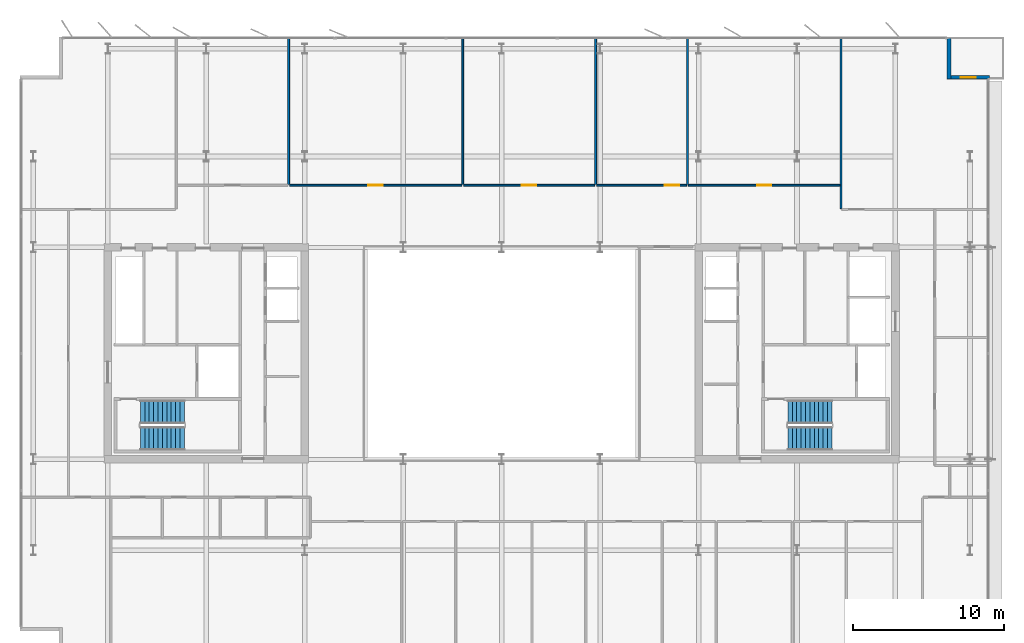
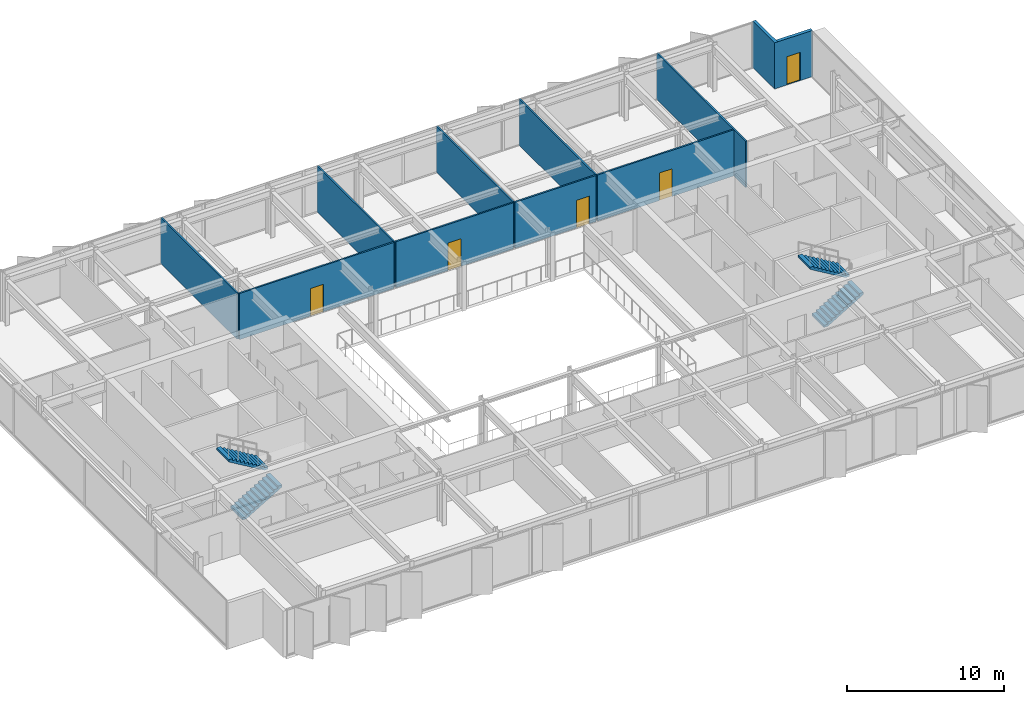
# One storey, part 15 of 19: 11 walls, 5 doors, 4 stair flights, 5 openings, 2 elements without a shape of their own.
"""IFC4 building model written with IfcOpenShell, lengths in metres."""

from ifc_helpers import new_model, si_unit, direction, frame, frame_2d, origin, place, context, subcontext, project, spatial, polyline, rectangle, outline, extrude, material, layer, layer_set, type_object, element, fill, aggregate, save


model = new_model("IFC4")

# Units and contexts
model_context = context("Model", 3, precision=1e-05, world=origin(), true_north=direction((0.0, 1.0)))
body_context = subcontext(model_context, "Body", "Model", "MODEL_VIEW")
ifc_project = project(units=[si_unit("LENGTHUNIT", "METRE"), si_unit("AREAUNIT", "SQUARE_METRE"), si_unit("VOLUMEUNIT", "CUBIC_METRE"), si_unit("PLANEANGLEUNIT", "RADIAN"), si_unit("MASSUNIT", "GRAM", prefix="KILO")], contexts=[model_context])

# Site, building, storey
site_placement = place(None, origin())
site = spatial("IfcSite", under=ifc_project, at=site_placement, CompositionType="ELEMENT")
building_placement = place(site_placement, origin())
building = spatial("IfcBuilding", under=site, at=building_placement, Name="Putna Gate Headquarters", CompositionType="ELEMENT")
storey_placement = place(building_placement, frame((0.0, 0.0, 267.0)))
storey = spatial("IfcBuildingStorey", under=building, at=storey_placement, Name="L67", CompositionType="ELEMENT", Elevation=267.0)

# Wall
ifc_material_1 = material(Name="Precast concrete C40/50", Category="concrete")
ifc_layer_1 = layer(ifc_material_1, 0.239990234375)
ifc_layer_set_1 = layer_set([ifc_layer_1], Name="Precast concrete C40/50")
wall_type_1 = type_object("IfcWallType", Name="WALL-EXT-TERR-240", PredefinedType="STANDARD", material=ifc_layer_set_1)
wall_1_placement = place(storey_placement, frame((68.534912109375, 46.89990234375, 0.0), z_axis=(0.0, 0.0, 1.0), x_axis=(0.0, -1.0, 0.0)))
element("IfcWall", 1, at=wall_1_placement, inside=storey, type_object=wall_type_1, Name="L67 Corner Notch Return Wall NE-V", PredefinedType="STANDARD", context=body_context, shape_type="SweptSolid", body=[
    extrude(rectangle(XDim=2.7998046875, YDim=0.239990234375, at=frame_2d((1.39990234375, 0.0))), origin(), (0.0, 0.0, 1.0), 3.587890625),
])

# Wall, opening, door
wall_2_placement = place(storey_placement, frame((68.4150390625, 44.219970703125, 0.0), z_axis=(0.0, 0.0, 1.0), x_axis=(1.0, 0.0, 0.0)))
wall_2 = element("IfcWall", 2, at=wall_2_placement, inside=storey, type_object=wall_type_1, Name="L67 Corner Notch Return Wall NE-H", PredefinedType="STANDARD", context=body_context, shape_type="SweptSolid", body=[
    extrude(rectangle(XDim=2.800048828125, YDim=0.239990234375, at=frame_2d((1.39990234375, 0.0))), origin(), (0.0, 0.0, 1.0), 3.587890625),
])
opening_1_placement = place(wall_2_placement, frame((0.89990234375, 0.0, 0.0)))
opening_1 = element("IfcOpeningElement", 3, at=opening_1_placement, cuts=wall_2, Name="Opening TRD-1", PredefinedType="OPENING", context=body_context, shape_type="SweptSolid", body=[
    extrude(rectangle(XDim=1.0, YDim=2.199951171875, at=frame_2d((0.5, 1.10009765625))), frame((0.0, 0.1298828125, 0.0), z_axis=(0.0, -1.0, 0.0), x_axis=(1.0, 0.0, 0.0)), (0.0, 0.0, 1.0), 0.260009765625),
])
ifc_material_2 = material(Name="Thermally broken bronze glazed terrace door")
door_type_1 = type_object("IfcDoorType", Name="DOOR-TERR-EXT-1000", OperationType="NOTDEFINED", PredefinedType="DOOR", material=ifc_material_2)
door_1_placement = place(opening_1_placement, origin())
door_1 = element("IfcDoor", 4, at=door_1_placement, inside=storey, type_object=door_type_1, Name="L67 Spiral Sky Terrace Door NE", OperationType="SINGLE_SWING_LEFT", OverallHeight=2.199951171875, OverallWidth=1.0, PredefinedType="DOOR", context=body_context, shape_type="SweptSolid", body=[
    extrude(rectangle(XDim=1.0, YDim=2.199951171875, at=frame_2d((0.5, 1.10009765625))), frame((0.0, 0.02490234375, 0.0), z_axis=(0.0, -1.0, 0.0), x_axis=(1.0, 0.0, 0.0)), (0.0, 0.0, 1.0), 0.050048828125),
])
fill(opening_1, door_1)

# Walls
ifc_material_3 = material(Name="Acoustic gypsum board on metal stud")
ifc_layer_2 = layer(ifc_material_3, 0.1201171875)
ifc_layer_set_2 = layer_set([ifc_layer_2], Name="Acoustic gypsum board on metal stud")
wall_type_2 = type_object("IfcWallType", Name="WALL-PART-120", PredefinedType="PARTITIONING", material=ifc_layer_set_2)
for number, where, z_axis, x_axis, name in (
    (5, (24.93603515625, 37.159912109375, 0.0), (0.0, 0.0, 1.0), (0.0, 1.0, 0.0), "L67 Interior Wall PART-L67-NB-DIV-02"),
    (6, (36.42578125, 37.159912109375, 0.0), (0.0, 0.0, 1.0), (0.0, 1.0, 0.0), "L67 Interior Wall PART-L67-NB-DIV-03"),
    (7, (45.203857421875, 37.159912109375, 0.0), (0.0, 0.0, 1.0), (0.0, 1.0, 0.0), "L67 Interior Wall PART-L67-NB-DIV-04"),
    (8, (51.27001953125, 37.159912109375, 0.0), (0.0, 0.0, 1.0), (0.0, 1.0, 0.0), "L67 Interior Wall PART-L67-NB-DIV-05"),
):
    element("IfcWall", number, at=place(storey_placement, frame(where, z_axis=z_axis, x_axis=x_axis)), inside=storey, type_object=wall_type_2, Name=name, PredefinedType="PARTITIONING", context=body_context, shape_type="SweptSolid", body=[
        extrude(rectangle(XDim=9.719970703125, YDim=0.1201171875, at=frame_2d((4.85986328125, 0.0))), origin(), (0.0, 0.0, 1.0), 3.587890625),
    ])
wall_3_placement = place(storey_placement, frame((61.404052734375, 35.56005859375, 0.0), z_axis=(0.0, 0.0, 1.0), x_axis=(0.0, 1.0, 0.0)))
element("IfcWall", 9, at=wall_3_placement, inside=storey, type_object=wall_type_2, Name="L67 Interior Wall PART-L67-NB-DIV-06", PredefinedType="PARTITIONING", context=body_context, shape_type="SweptSolid", body=[
    extrude(rectangle(XDim=11.31982421875, YDim=0.1201171875, at=frame_2d((5.659912109375, 0.0))), origin(), (0.0, 0.0, 1.0), 3.587890625),
])

# Wall, opening, door
ifc_material_4 = material(Name="Fire-rated gypsum board on metal stud")
ifc_layer_3 = layer(ifc_material_4, 0.1201171875)
ifc_layer_set_3 = layer_set([ifc_layer_3], Name="Fire-rated gypsum board on metal stud")
wall_type_3 = type_object("IfcWallType", Name="WALL-PART-120-RATED", PredefinedType="PARTITIONING", material=ifc_layer_set_3)
wall_4_placement = place(storey_placement, frame((24.99609375, 37.10009765625, 0.0), z_axis=(0.0, 0.0, 1.0), x_axis=(1.0, 0.0, 0.0)))
wall_4 = element("IfcWall", 10, at=wall_4_placement, inside=storey, type_object=wall_type_3, Name="L67 Interior Wall PART-L67-NB-CW-03", PredefinedType="PARTITIONING", context=body_context, shape_type="SweptSolid", body=[
    extrude(rectangle(XDim=11.36962890625, YDim=0.1201171875, at=frame_2d((5.684814453125, 0.0))), origin(), (0.0, 0.0, 1.0), 3.587890625),
])
opening_2_placement = place(wall_4_placement, frame((5.2099609375, 0.0, 0.0)))
opening_2 = element("IfcOpeningElement", 11, at=opening_2_placement, cuts=wall_4, Name="Opening FD-95", PredefinedType="OPENING", context=body_context, shape_type="SweptSolid", body=[
    extrude(rectangle(XDim=0.949951171875, YDim=2.14990234375, at=frame_2d((0.47509765625, 1.074951171875))), frame((0.0, 0.070068359375, 0.0), z_axis=(0.0, -1.0, 0.0), x_axis=(1.0, 0.0, 0.0)), (0.0, 0.0, 1.0), 0.14013671875),
])
ifc_material_5 = material(Name="Acoustic timber fire door", Category="wood")
door_type_2 = type_object("IfcDoorType", Name="DOOR-FIRE-950", OperationType="NOTDEFINED", PredefinedType="DOOR", material=ifc_material_5)
door_2_placement = place(opening_2_placement, origin())
door_2 = element("IfcDoor", 12, at=door_2_placement, inside=storey, type_object=door_type_2, Name="L67 Cellular Office 1 Door", OperationType="SINGLE_SWING_RIGHT", OverallHeight=2.14990234375, OverallWidth=0.949951171875, PredefinedType="DOOR", context=body_context, shape_type="SweptSolid", body=[
    extrude(rectangle(XDim=0.949951171875, YDim=2.14990234375, at=frame_2d((0.47509765625, 1.074951171875))), frame((0.0, 0.02490234375, 0.0), z_axis=(0.0, -1.0, 0.0), x_axis=(1.0, 0.0, 0.0)), (0.0, 0.0, 1.0), 0.050048828125),
])
fill(opening_2, door_2)

wall_5_placement = place(storey_placement, frame((36.48583984375, 37.10009765625, 0.0), z_axis=(0.0, 0.0, 1.0), x_axis=(1.0, 0.0, 0.0)))
wall_5 = element("IfcWall", 13, at=wall_5_placement, inside=storey, type_object=wall_type_3, Name="L67 Interior Wall PART-L67-NB-CW-04", PredefinedType="PARTITIONING", context=body_context, shape_type="SweptSolid", body=[
    extrude(rectangle(XDim=8.657958984375, YDim=0.1201171875, at=frame_2d((4.3291015625, 0.0))), origin(), (0.0, 0.0, 1.0), 3.587890625),
])
opening_3_placement = place(wall_5_placement, frame((3.85400390625, 0.0, 0.0)))
opening_3 = element("IfcOpeningElement", 14, at=opening_3_placement, cuts=wall_5, Name="Opening FD-95", PredefinedType="OPENING", context=body_context, shape_type="SweptSolid", body=[
    extrude(rectangle(XDim=0.949951171875, YDim=2.14990234375, at=frame_2d((0.47509765625, 1.074951171875))), frame((0.0, 0.070068359375, 0.0), z_axis=(0.0, -1.0, 0.0), x_axis=(1.0, 0.0, 0.0)), (0.0, 0.0, 1.0), 0.14013671875),
])
door_3_placement = place(opening_3_placement, origin())
door_3 = element("IfcDoor", 15, at=door_3_placement, inside=storey, type_object=door_type_2, Name="L67 Cellular Office 2 Door", OperationType="SINGLE_SWING_LEFT", OverallHeight=2.14990234375, OverallWidth=0.949951171875, PredefinedType="DOOR", context=body_context, shape_type="SweptSolid", body=[
    extrude(rectangle(XDim=0.949951171875, YDim=2.14990234375, at=frame_2d((0.47509765625, 1.074951171875))), frame((0.0, 0.02490234375, 0.0), z_axis=(0.0, -1.0, 0.0), x_axis=(1.0, 0.0, 0.0)), (0.0, 0.0, 1.0), 0.050048828125),
])
fill(opening_3, door_3)

wall_6_placement = place(storey_placement, frame((45.263916015625, 37.10009765625, 0.0), z_axis=(0.0, 0.0, 1.0), x_axis=(1.0, 0.0, 0.0)))
wall_6 = element("IfcWall", 16, at=wall_6_placement, inside=storey, type_object=wall_type_3, Name="L67 Interior Wall PART-L67-NB-CW-05", PredefinedType="PARTITIONING", context=body_context, shape_type="SweptSolid", body=[
    extrude(rectangle(XDim=5.9462890625, YDim=0.1201171875, at=frame_2d((2.97314453125, 0.0))), origin(), (0.0, 0.0, 1.0), 3.587890625),
])
opening_4_placement = place(wall_6_placement, frame((4.516357421875, 0.0, 0.0)))
opening_4 = element("IfcOpeningElement", 17, at=opening_4_placement, cuts=wall_6, Name="Opening FD-95", PredefinedType="OPENING", context=body_context, shape_type="SweptSolid", body=[
    extrude(rectangle(XDim=0.949951171875, YDim=2.14990234375, at=frame_2d((0.47509765625, 1.074951171875))), frame((0.0, 0.070068359375, 0.0), z_axis=(0.0, -1.0, 0.0), x_axis=(1.0, 0.0, 0.0)), (0.0, 0.0, 1.0), 0.14013671875),
])
door_4_placement = place(opening_4_placement, origin())
door_4 = element("IfcDoor", 18, at=door_4_placement, inside=storey, type_object=door_type_2, Name="L67 Cellular Office 3 Door", OperationType="SINGLE_SWING_RIGHT", OverallHeight=2.14990234375, OverallWidth=0.949951171875, PredefinedType="DOOR", context=body_context, shape_type="SweptSolid", body=[
    extrude(rectangle(XDim=0.949951171875, YDim=2.14990234375, at=frame_2d((0.47509765625, 1.074951171875))), frame((0.0, 0.02490234375, 0.0), z_axis=(0.0, -1.0, 0.0), x_axis=(1.0, 0.0, 0.0)), (0.0, 0.0, 1.0), 0.050048828125),
])
fill(opening_4, door_4)

wall_7_placement = place(storey_placement, frame((51.330078125, 37.10009765625, 0.0), z_axis=(0.0, 0.0, 1.0), x_axis=(1.0, 0.0, 0.0)))
wall_7 = element("IfcWall", 19, at=wall_7_placement, inside=storey, type_object=wall_type_3, Name="L67 Interior Wall PART-L67-NB-CW-06", PredefinedType="PARTITIONING", context=body_context, shape_type="SweptSolid", body=[
    extrude(rectangle(XDim=10.013916015625, YDim=0.1201171875, at=frame_2d((5.0068359375, 0.0))), origin(), (0.0, 0.0, 1.0), 3.587890625),
])
opening_5_placement = place(wall_7_placement, frame((4.531982421875, 0.0, 0.0)))
opening_5 = element("IfcOpeningElement", 20, at=opening_5_placement, cuts=wall_7, Name="Opening FD-95", PredefinedType="OPENING", context=body_context, shape_type="SweptSolid", body=[
    extrude(rectangle(XDim=0.949951171875, YDim=2.14990234375, at=frame_2d((0.47509765625, 1.074951171875))), frame((0.0, 0.070068359375, 0.0), z_axis=(0.0, -1.0, 0.0), x_axis=(1.0, 0.0, 0.0)), (0.0, 0.0, 1.0), 0.14013671875),
])
door_5_placement = place(opening_5_placement, origin())
door_5 = element("IfcDoor", 21, at=door_5_placement, inside=storey, type_object=door_type_2, Name="L67 Cellular Office 4 Door", OperationType="SINGLE_SWING_LEFT", OverallHeight=2.14990234375, OverallWidth=0.949951171875, PredefinedType="DOOR", context=body_context, shape_type="SweptSolid", body=[
    extrude(rectangle(XDim=0.949951171875, YDim=2.14990234375, at=frame_2d((0.47509765625, 1.074951171875))), frame((0.0, 0.02490234375, 0.0), z_axis=(0.0, -1.0, 0.0), x_axis=(1.0, 0.0, 0.0)), (0.0, 0.0, 1.0), 0.050048828125),
])
fill(opening_5, door_5)

# Stair, stair flights
ifc_material_6 = material(Name="Concrete C40/50", Category="concrete")
stair_type_1 = type_object("IfcStairType", Name="STAIR-ST1", PredefinedType="HALF_TURN_STAIR", material=ifc_material_6)
stair_1_placement = place(storey_placement, origin())
stair_1 = element("IfcStair", 22, at=stair_1_placement, inside=storey, type_object=stair_type_1, Name="L67 West Core Exit Stair ST1", PredefinedType="HALF_TURN_STAIR")
stair_flight_type_1 = type_object("IfcStairFlightType", Name="FLIGHT-ST1", PredefinedType="STRAIGHT", material=ifc_material_6)
stair_flight_1_placement = place(storey_placement, frame((15.14990234375, 20.375, 0.0), z_axis=(0.0, 0.0, 1.0), x_axis=(1.0, 0.0, 0.0)))
stair_flight_1 = element("IfcStairFlight", 23, at=stair_flight_1_placement, type_object=stair_flight_type_1, Name="ST1 flight 1", NumberOfRisers=11, NumberOfTreads=10, PredefinedType="STRAIGHT", RiserHeight=0.172727273, TreadLength=0.29, context=body_context, shape_type="SweptSolid", body=[
    extrude(outline(polyline([(0.0, 0.0), (0.0, 0.172607421875), (0.2900390625, 0.172607421875), (0.2900390625, 0.345458984375), (0.580078125, 0.345458984375), (0.580078125, 0.51806640625), (0.8701171875, 0.51806640625), (0.8701171875, 0.69091796875), (1.159912109375, 0.69091796875), (1.159912109375, 0.863525390625), (1.449951171875, 0.863525390625), (1.449951171875, 1.036376953125), (1.739990234375, 1.036376953125), (1.739990234375, 1.208984375), (2.030029296875, 1.208984375), (2.030029296875, 1.3818359375), (2.320068359375, 1.3818359375), (2.320068359375, 1.554443359375), (2.610107421875, 1.554443359375), (2.610107421875, 1.727294921875), (2.89990234375, 1.727294921875), (2.89990234375, 1.89990234375), (2.89990234375, 1.552734375), (0.29296875, 0.0), (0.0, 0.0)])), frame((0.0, 0.77490234375, 0.0), z_axis=(0.0, -1.0, 0.0), x_axis=(1.0, 0.0, 0.0)), (0.0, 0.0, 1.0), 1.550048828125),
])
stair_flight_2_placement = place(storey_placement, frame((18.050048828125, 22.125, 1.89990234375), z_axis=(0.0, 0.0, 1.0), x_axis=(-1.0, 0.0, 0.0)))
stair_flight_2 = element("IfcStairFlight", 24, at=stair_flight_2_placement, type_object=stair_flight_type_1, Name="ST1 flight 2", NumberOfRisers=11, NumberOfTreads=10, PredefinedType="STRAIGHT", RiserHeight=0.172727273, TreadLength=0.29, context=body_context, shape_type="SweptSolid", body=[
    extrude(outline(polyline([(0.0, 0.0), (0.0, 0.172607421875), (0.2900390625, 0.172607421875), (0.2900390625, 0.345458984375), (0.580078125, 0.345458984375), (0.580078125, 0.51806640625), (0.8701171875, 0.51806640625), (0.8701171875, 0.69091796875), (1.159912109375, 0.69091796875), (1.159912109375, 0.863525390625), (1.449951171875, 0.863525390625), (1.449951171875, 1.036376953125), (1.739990234375, 1.036376953125), (1.739990234375, 1.208984375), (2.030029296875, 1.208984375), (2.030029296875, 1.3818359375), (2.320068359375, 1.3818359375), (2.320068359375, 1.554443359375), (2.610107421875, 1.554443359375), (2.610107421875, 1.727294921875), (2.89990234375, 1.727294921875), (2.89990234375, 1.89990234375), (2.89990234375, 1.552734375), (0.29296875, 0.0), (0.0, 0.0)])), frame((0.0, 0.77490234375, 0.0), z_axis=(0.0, -1.0, 0.0), x_axis=(1.0, 0.0, 0.0)), (0.0, 0.0, 1.0), 1.550048828125),
])
aggregate(stair_1, [stair_flight_1, stair_flight_2])

stair_type_2 = type_object("IfcStairType", Name="STAIR-ST2", PredefinedType="HALF_TURN_STAIR", material=ifc_material_6)
stair_2_placement = place(storey_placement, origin())
stair_2 = element("IfcStair", 25, at=stair_2_placement, inside=storey, type_object=stair_type_2, Name="L67 East Core Exit Stair ST2", PredefinedType="HALF_TURN_STAIR")
stair_flight_type_2 = type_object("IfcStairFlightType", Name="FLIGHT-ST2", PredefinedType="STRAIGHT", material=ifc_material_6)
stair_flight_3_placement = place(storey_placement, frame((57.89990234375, 20.375, 0.0), z_axis=(0.0, 0.0, 1.0), x_axis=(1.0, 0.0, 0.0)))
stair_flight_3 = element("IfcStairFlight", 26, at=stair_flight_3_placement, type_object=stair_flight_type_2, Name="ST2 flight 1", NumberOfRisers=11, NumberOfTreads=10, PredefinedType="STRAIGHT", RiserHeight=0.172727273, TreadLength=0.29, context=body_context, shape_type="SweptSolid", body=[
    extrude(outline(polyline([(0.0, 0.0), (0.0, 0.172607421875), (0.2900390625, 0.172607421875), (0.2900390625, 0.345458984375), (0.580078125, 0.345458984375), (0.580078125, 0.51806640625), (0.8701171875, 0.51806640625), (0.8701171875, 0.69091796875), (1.159912109375, 0.69091796875), (1.159912109375, 0.863525390625), (1.449951171875, 0.863525390625), (1.449951171875, 1.036376953125), (1.739990234375, 1.036376953125), (1.739990234375, 1.208984375), (2.030029296875, 1.208984375), (2.030029296875, 1.3818359375), (2.320068359375, 1.3818359375), (2.320068359375, 1.554443359375), (2.610107421875, 1.554443359375), (2.610107421875, 1.727294921875), (2.89990234375, 1.727294921875), (2.89990234375, 1.89990234375), (2.89990234375, 1.552734375), (0.29296875, 0.0), (0.0, 0.0)])), frame((0.0, 0.77490234375, 0.0), z_axis=(0.0, -1.0, 0.0), x_axis=(1.0, 0.0, 0.0)), (0.0, 0.0, 1.0), 1.550048828125),
])
stair_flight_4_placement = place(storey_placement, frame((60.800048828125, 22.125, 1.89990234375), z_axis=(0.0, 0.0, 1.0), x_axis=(-1.0, 0.0, 0.0)))
stair_flight_4 = element("IfcStairFlight", 27, at=stair_flight_4_placement, type_object=stair_flight_type_2, Name="ST2 flight 2", NumberOfRisers=11, NumberOfTreads=10, PredefinedType="STRAIGHT", RiserHeight=0.172727273, TreadLength=0.29, context=body_context, shape_type="SweptSolid", body=[
    extrude(outline(polyline([(0.0, 0.0), (0.0, 0.172607421875), (0.2900390625, 0.172607421875), (0.2900390625, 0.345458984375), (0.580078125, 0.345458984375), (0.580078125, 0.51806640625), (0.8701171875, 0.51806640625), (0.8701171875, 0.69091796875), (1.159912109375, 0.69091796875), (1.159912109375, 0.863525390625), (1.449951171875, 0.863525390625), (1.449951171875, 1.036376953125), (1.739990234375, 1.036376953125), (1.739990234375, 1.208984375), (2.030029296875, 1.208984375), (2.030029296875, 1.3818359375), (2.320068359375, 1.3818359375), (2.320068359375, 1.554443359375), (2.610107421875, 1.554443359375), (2.610107421875, 1.727294921875), (2.89990234375, 1.727294921875), (2.89990234375, 1.89990234375), (2.89990234375, 1.552734375), (0.29296875, 0.0), (0.0, 0.0)])), frame((0.0, 0.77490234375, 0.0), z_axis=(0.0, -1.0, 0.0), x_axis=(1.0, 0.0, 0.0)), (0.0, 0.0, 1.0), 1.550048828125),
])
aggregate(stair_2, [stair_flight_3, stair_flight_4])

save(model, "model.ifc")
